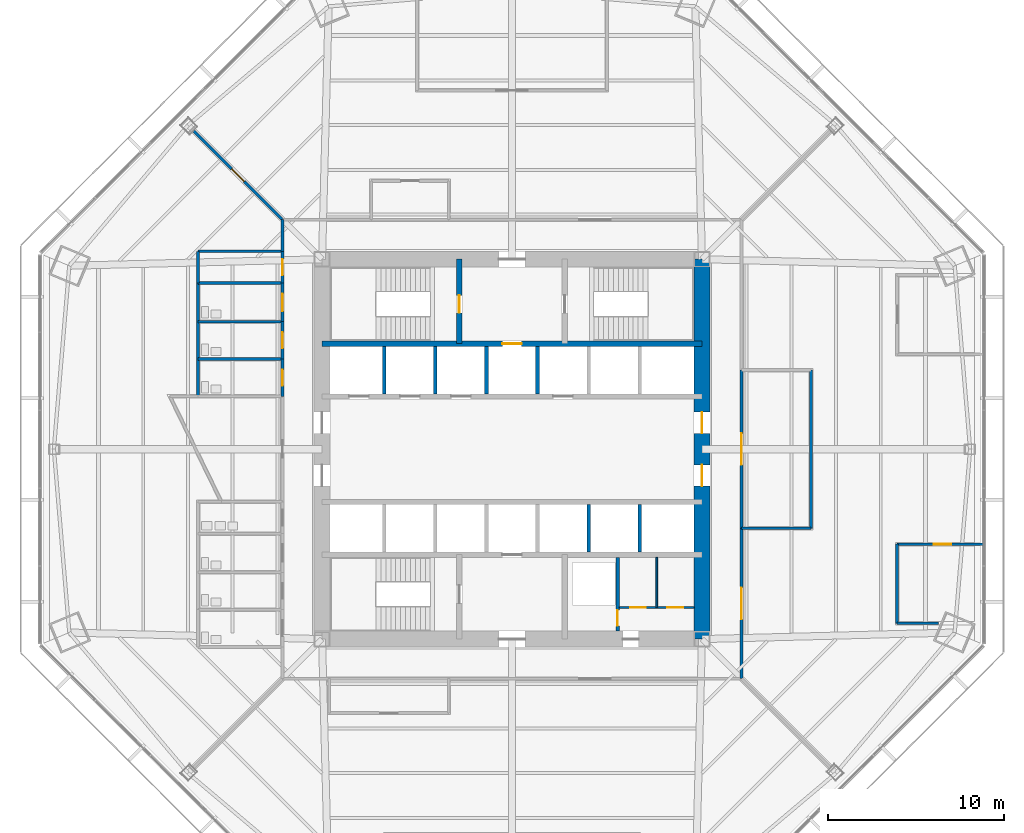
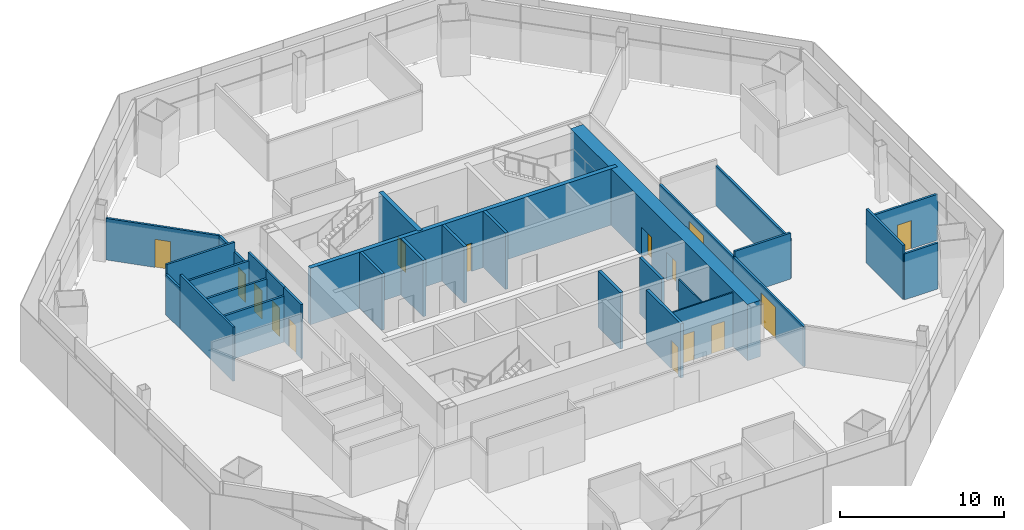
# One storey, part 9 of 14: 31 walls, 15 doors, 15 openings.
"""IFC4 building model written with IfcOpenShell, lengths in metres."""

from ifc_helpers import new_model, si_unit, direction, frame, frame_2d, origin, place, context, subcontext, project, spatial, rectangle, extrude, material, layer, layer_set, type_object, element, fill, save


model = new_model("IFC4")

# Units and contexts
model_context = context("Model", 3, precision=1e-05, world=origin(), true_north=direction((0.0, 1.0)))
body_context = subcontext(model_context, "Body", "Model", "MODEL_VIEW")
ifc_project = project(units=[si_unit("LENGTHUNIT", "METRE"), si_unit("AREAUNIT", "SQUARE_METRE"), si_unit("VOLUMEUNIT", "CUBIC_METRE"), si_unit("PLANEANGLEUNIT", "RADIAN"), si_unit("MASSUNIT", "GRAM", prefix="KILO")], contexts=[model_context])

# Site, building, storey
site_placement = place(None, origin())
site = spatial("IfcSite", under=ifc_project, at=site_placement, CompositionType="ELEMENT")
building_placement = place(site_placement, origin())
building = spatial("IfcBuilding", under=site, at=building_placement, Name="Mashrafa Tower", CompositionType="ELEMENT")
storey_placement = place(building_placement, frame((0.0, 0.0, 41.39990234375)))
storey = spatial("IfcBuildingStorey", under=building, at=storey_placement, Name="L08", CompositionType="ELEMENT", Elevation=41.39990234375)

# Wall, opening, door
ifc_material_1 = material(Name="Concrete masonry unit", Category="masonry")
ifc_layer_1 = layer(ifc_material_1, 0.199951171875)
ifc_layer_set_1 = layer_set([ifc_layer_1], Name="Blockwork wall 200 2 hr")
wall_type_1 = type_object("IfcWallType", Name="Blockwork wall 200 2 hr", PredefinedType="PARTITIONING", material=ifc_layer_set_1)
wall_1_placement = place(storey_placement, frame((6.0, -10.35009765625, 0.0), z_axis=(0.0, 0.0, 1.0), x_axis=(0.0, 1.0, 0.0)))
wall_1 = element("IfcWall", 1, at=wall_1_placement, inside=storey, type_object=wall_type_1, Name="Riser enclosure wall L08", PredefinedType="PARTITIONING", context=body_context, shape_type="SweptSolid", body=[
    extrude(rectangle(XDim=4.2001953125, YDim=0.199951171875, at=frame_2d((2.10009765625, 0.0))), origin(), (0.0, 0.0, 1.0), 4.03515625),
])
opening_1_placement = place(wall_1_placement, frame((0.300048828125, 0.0, 0.0)))
opening_1 = element("IfcOpeningElement", 2, at=opening_1_placement, cuts=wall_1, Name="Opening 08.034", PredefinedType="OPENING", context=body_context, shape_type="SweptSolid", body=[
    extrude(rectangle(XDim=0.89990234375, YDim=2.10009765625, at=frame_2d((0.449951171875, 1.050048828125))), frame((0.0, 0.10986328125, 0.0), z_axis=(0.0, -1.0, 0.0), x_axis=(1.0, 0.0, 0.0)), (0.0, 0.0, 1.0), 0.219970703125),
])
ifc_material_2 = material(Name="Steel door", Category="steel")
door_type_1 = type_object("IfcDoorType", Name="Service door 900 x 2100 90 min", OperationType="USERDEFINED", PredefinedType="DOOR", material=ifc_material_2)
door_1_placement = place(opening_1_placement, origin())
door_1 = element("IfcDoor", 3, at=door_1_placement, inside=storey, type_object=door_type_1, Name="Riser door L08", OperationType="SINGLE_SWING_LEFT", OverallHeight=2.10009765625, OverallWidth=0.89990234375, PredefinedType="DOOR", context=body_context, shape_type="SweptSolid", body=[
    extrude(rectangle(XDim=0.89990234375, YDim=2.10009765625, at=frame_2d((0.449951171875, 1.050048828125))), frame((0.0, 0.02490234375, 0.0), z_axis=(0.0, -1.0, 0.0), x_axis=(1.0, 0.0, 0.0)), (0.0, 0.0, 1.0), 0.050048828125),
])
fill(opening_1, door_1)

ifc_material_3 = material(Name="Concrete C60/75", Category="concrete")
ifc_layer_2 = layer(ifc_material_3, 0.300048828125)
ifc_layer_set_2 = layer_set([ifc_layer_2], Name="Core wall 300 C60/75")
wall_type_2 = type_object("IfcWallType", Name="Core wall 300 C60/75", PredefinedType="SOLIDWALL", material=ifc_layer_set_2)
wall_2_placement = place(storey_placement, frame((-10.800048828125, 6.0, 0.0), z_axis=(0.0, 0.0, 1.0), x_axis=(1.0, 0.0, 0.0)))
wall_2 = element("IfcWall", 4, at=wall_2_placement, inside=storey, type_object=wall_type_2, Name="Core wall CB-N L08", PredefinedType="SOLIDWALL", context=body_context, shape_type="SweptSolid", body=[
    extrude(rectangle(XDim=21.60009765625, YDim=0.300048828125, at=frame_2d((10.800048828125, 0.0))), origin(), (0.0, 0.0, 1.0), 4.2001953125),
])
opening_2_placement = place(wall_2_placement, frame((10.25, 0.0, 0.0)))
opening_2 = element("IfcOpeningElement", 5, at=opening_2_placement, cuts=wall_2, Name="Opening 08.F1", PredefinedType="OPENING", context=body_context, shape_type="SweptSolid", body=[
    extrude(rectangle(XDim=1.10009765625, YDim=2.10009765625, at=frame_2d((0.550048828125, 1.050048828125))), frame((0.0, 0.159912109375, 0.0), z_axis=(0.0, -1.0, 0.0), x_axis=(1.0, 0.0, 0.0)), (0.0, 0.0, 1.0), 0.320068359375),
])
ifc_material_4 = material(Name="Steel door", Category="steel")
door_type_2 = type_object("IfcDoorType", Name="Lift landing door 1100 x 2100 90 min", OperationType="DOUBLE_DOOR_SLIDING", PredefinedType="DOOR", material=ifc_material_4)
door_2_placement = place(opening_2_placement, origin())
door_2 = element("IfcDoor", 6, at=door_2_placement, inside=storey, type_object=door_type_2, Name="Lift landing door F1 L08", OperationType="DOUBLE_DOOR_SLIDING", OverallHeight=2.10009765625, OverallWidth=1.10009765625, PredefinedType="DOOR", context=body_context, shape_type="SweptSolid", body=[
    extrude(rectangle(XDim=1.10009765625, YDim=2.10009765625, at=frame_2d((0.550048828125, 1.050048828125))), frame((0.0, 0.02490234375, 0.0), z_axis=(0.0, -1.0, 0.0), x_axis=(1.0, 0.0, 0.0)), (0.0, 0.0, 1.0), 0.050048828125),
])
fill(opening_2, door_2)

wall_3_placement = place(storey_placement, frame((-3.0, 6.0, 0.0), z_axis=(0.0, 0.0, 1.0), x_axis=(0.0, 1.0, 0.0)))
wall_3 = element("IfcWall", 7, at=wall_3_placement, inside=storey, type_object=wall_type_2, Name="Core wall CX-NW L08", PredefinedType="SOLIDWALL", context=body_context, shape_type="SweptSolid", body=[
    extrude(rectangle(XDim=4.800048828125, YDim=0.300048828125, at=frame_2d((2.39990234375, 0.0))), origin(), (0.0, 0.0, 1.0), 4.2001953125),
])
opening_3_placement = place(wall_3_placement, frame((1.75, 0.0, 0.0)))
opening_3 = element("IfcOpeningElement", 8, at=opening_3_placement, cuts=wall_3, Name="Opening 08.030", PredefinedType="OPENING", context=body_context, shape_type="SweptSolid", body=[
    extrude(rectangle(XDim=1.0, YDim=2.10009765625, at=frame_2d((0.5, 1.050048828125))), frame((0.0, 0.159912109375, 0.0), z_axis=(0.0, -1.0, 0.0), x_axis=(1.0, 0.0, 0.0)), (0.0, 0.0, 1.0), 0.320068359375),
])
ifc_material_5 = material(Name="Steel door", Category="steel")
door_type_3 = type_object("IfcDoorType", Name="Stair door 1000 x 2100 90 min", OperationType="USERDEFINED", PredefinedType="DOOR", material=ifc_material_5)
door_3_placement = place(opening_3_placement, origin())
door_3 = element("IfcDoor", 9, at=door_3_placement, inside=storey, type_object=door_type_3, Name="Stair S1 door L08", OperationType="SINGLE_SWING_LEFT", OverallHeight=2.10009765625, OverallWidth=1.0, PredefinedType="DOOR", context=body_context, shape_type="SweptSolid", body=[
    extrude(rectangle(XDim=1.0, YDim=2.10009765625, at=frame_2d((0.5, 1.050048828125))), frame((0.0, 0.02490234375, 0.0), z_axis=(0.0, -1.0, 0.0), x_axis=(1.0, 0.0, 0.0)), (0.0, 0.0, 1.0), 0.050048828125),
])
fill(opening_3, door_3)

# Wall, openings, doors
ifc_material_6 = material(Name="Concrete C60/75", Category="concrete")
ifc_layer_3 = layer(ifc_material_6, 0.89990234375)
ifc_layer_set_3 = layer_set([ifc_layer_3], Name="Core wall 900 C60/75")
wall_type_3 = type_object("IfcWallType", Name="Core wall 900 C60/75", PredefinedType="SOLIDWALL", material=ifc_layer_set_3)
wall_4_placement = place(storey_placement, frame((10.800048828125, -10.800048828125, 0.0), z_axis=(0.0, 0.0, 1.0), x_axis=(0.0, 1.0, 0.0)))
wall_4 = element("IfcWall", 10, at=wall_4_placement, inside=storey, type_object=wall_type_3, Name="Core wall CW-E L08", PredefinedType="SOLIDWALL", context=body_context, shape_type="SweptSolid", body=[
    extrude(rectangle(XDim=21.60009765625, YDim=0.89990234375, at=frame_2d((10.800048828125, 0.0))), origin(), (0.0, 0.0, 1.0), 4.2001953125),
])
opening_4_placement = place(wall_4_placement, frame((11.699951171875, 0.0, 0.0)))
opening_4 = element("IfcOpeningElement", 11, at=opening_4_placement, cuts=wall_4, Name="Opening 08.024", PredefinedType="OPENING", context=body_context, shape_type="SweptSolid", body=[
    extrude(rectangle(XDim=1.199951171875, YDim=2.10009765625, at=frame_2d((0.60009765625, 1.050048828125))), frame((0.0, 0.4599609375, 0.0), z_axis=(0.0, -1.0, 0.0), x_axis=(1.0, 0.0, 0.0)), (0.0, 0.0, 1.0), 0.919921875),
])
opening_5_placement = place(wall_4_placement, frame((8.699951171875, 0.0, 0.0)))
opening_5 = element("IfcOpeningElement", 12, at=opening_5_placement, cuts=wall_4, Name="Opening 08.026", PredefinedType="OPENING", context=body_context, shape_type="SweptSolid", body=[
    extrude(rectangle(XDim=1.199951171875, YDim=2.10009765625, at=frame_2d((0.60009765625, 1.050048828125))), frame((0.0, 0.4599609375, 0.0), z_axis=(0.0, -1.0, 0.0), x_axis=(1.0, 0.0, 0.0)), (0.0, 0.0, 1.0), 0.919921875),
])
ifc_material_7 = material(Name="Steel door", Category="steel")
door_type_4 = type_object("IfcDoorType", Name="Lift hall door 1200 x 2100 90 min", OperationType="USERDEFINED", PredefinedType="DOOR", material=ifc_material_7)
door_4_placement = place(opening_4_placement, frame((1.199951171875, 0.0, 0.0), z_axis=(0.0, 0.0, 1.0), x_axis=(-1.0, 0.0, 0.0)))
door_4 = element("IfcDoor", 13, at=door_4_placement, inside=storey, type_object=door_type_4, Name="Lift hall door east L08", OperationType="SINGLE_SWING_LEFT", OverallHeight=2.10009765625, OverallWidth=1.199951171875, PredefinedType="DOOR", context=body_context, shape_type="SweptSolid", body=[
    extrude(rectangle(XDim=1.199951171875, YDim=2.10009765625, at=frame_2d((0.60009765625, 1.050048828125))), frame((0.0, 0.02490234375, 0.0), z_axis=(0.0, -1.0, 0.0), x_axis=(1.0, 0.0, 0.0)), (0.0, 0.0, 1.0), 0.050048828125),
])
fill(opening_4, door_4)
door_5_placement = place(opening_5_placement, frame((1.199951171875, 0.0, 0.0), z_axis=(0.0, 0.0, 1.0), x_axis=(-1.0, 0.0, 0.0)))
door_5 = element("IfcDoor", 14, at=door_5_placement, inside=storey, type_object=door_type_4, Name="Lift hall door east L08", OperationType="SINGLE_SWING_RIGHT", OverallHeight=2.10009765625, OverallWidth=1.199951171875, PredefinedType="DOOR", context=body_context, shape_type="SweptSolid", body=[
    extrude(rectangle(XDim=1.199951171875, YDim=2.10009765625, at=frame_2d((0.60009765625, 1.050048828125))), frame((0.0, 0.02490234375, 0.0), z_axis=(0.0, -1.0, 0.0), x_axis=(1.0, 0.0, 0.0)), (0.0, 0.0, 1.0), 0.050048828125),
])
fill(opening_5, door_5)

# Wall, opening, door
ifc_material_8 = material(Name="Gypsum board on steel studs", Category="steel")
ifc_layer_4 = layer(ifc_material_8, 0.14990234375)
ifc_layer_set_4 = layer_set([ifc_layer_4], Name="Corridor partition 150 1 hr")
wall_type_4 = type_object("IfcWallType", Name="Corridor partition 150 1 hr", PredefinedType="PARTITIONING", material=ifc_layer_set_4)
wall_5_placement = place(storey_placement, frame((-13.050048828125, 5.1259765625, 0.0), z_axis=(0.0, 0.0, 1.0), x_axis=(0.0, -1.0, 0.0)))
wall_5 = element("IfcWall", 15, at=wall_5_placement, inside=storey, type_object=wall_type_4, Name="Corridor wall L08-001", PredefinedType="PARTITIONING", context=body_context, shape_type="SweptSolid", body=[
    extrude(rectangle(XDim=2.126953125, YDim=0.14990234375, at=frame_2d((1.0634765625, 0.0))), origin(), (0.0, 0.0, 1.0), 4.03515625),
])
opening_6_placement = place(wall_5_placement, frame((0.613525390625, 0.0, 0.0)))
opening_6 = element("IfcOpeningElement", 16, at=opening_6_placement, cuts=wall_5, Name="Opening 08.001", PredefinedType="OPENING", context=body_context, shape_type="SweptSolid", body=[
    extrude(rectangle(XDim=0.89990234375, YDim=2.10009765625, at=frame_2d((0.449951171875, 1.050048828125))), frame((0.0, 0.0849609375, 0.0), z_axis=(0.0, -1.0, 0.0), x_axis=(1.0, 0.0, 0.0)), (0.0, 0.0, 1.0), 0.169921875),
])
ifc_material_9 = material(Name="Timber door", Category="wood")
door_type_5 = type_object("IfcDoorType", Name="Toilet door 900 x 2100", OperationType="USERDEFINED", PredefinedType="DOOR", material=ifc_material_9)
door_6_placement = place(opening_6_placement, frame((0.89990234375, 0.0, 0.0), z_axis=(0.0, 0.0, 1.0), x_axis=(-1.0, 0.0, 0.0)))
door_6 = element("IfcDoor", 17, at=door_6_placement, inside=storey, type_object=door_type_5, Name="WC Female L08 N door", OperationType="SINGLE_SWING_RIGHT", OverallHeight=2.10009765625, OverallWidth=0.89990234375, PredefinedType="DOOR", context=body_context, shape_type="SweptSolid", body=[
    extrude(rectangle(XDim=0.89990234375, YDim=2.10009765625, at=frame_2d((0.449951171875, 1.050048828125))), frame((0.0, 0.02490234375, 0.0), z_axis=(0.0, -1.0, 0.0), x_axis=(1.0, 0.0, 0.0)), (0.0, 0.0, 1.0), 0.050048828125),
])
fill(opening_6, door_6)

wall_6_placement = place(storey_placement, frame((-13.050048828125, 7.2509765625, 0.0), z_axis=(0.0, 0.0, 1.0), x_axis=(0.0, -1.0, 0.0)))
wall_6 = element("IfcWall", 18, at=wall_6_placement, inside=storey, type_object=wall_type_4, Name="Corridor wall L08-002", PredefinedType="PARTITIONING", context=body_context, shape_type="SweptSolid", body=[
    extrude(rectangle(XDim=2.126953125, YDim=0.14990234375, at=frame_2d((1.0634765625, 0.0))), origin(), (0.0, 0.0, 1.0), 4.03515625),
])
opening_7_placement = place(wall_6_placement, frame((0.613525390625, 0.0, 0.0)))
opening_7 = element("IfcOpeningElement", 19, at=opening_7_placement, cuts=wall_6, Name="Opening 08.002", PredefinedType="OPENING", context=body_context, shape_type="SweptSolid", body=[
    extrude(rectangle(XDim=0.89990234375, YDim=2.10009765625, at=frame_2d((0.449951171875, 1.050048828125))), frame((0.0, 0.0849609375, 0.0), z_axis=(0.0, -1.0, 0.0), x_axis=(1.0, 0.0, 0.0)), (0.0, 0.0, 1.0), 0.169921875),
])
door_7_placement = place(opening_7_placement, frame((0.89990234375, 0.0, 0.0), z_axis=(0.0, 0.0, 1.0), x_axis=(-1.0, 0.0, 0.0)))
door_7 = element("IfcDoor", 20, at=door_7_placement, inside=storey, type_object=door_type_5, Name="WC Male L08 N door", OperationType="SINGLE_SWING_LEFT", OverallHeight=2.10009765625, OverallWidth=0.89990234375, PredefinedType="DOOR", context=body_context, shape_type="SweptSolid", body=[
    extrude(rectangle(XDim=0.89990234375, YDim=2.10009765625, at=frame_2d((0.449951171875, 1.050048828125))), frame((0.0, 0.02490234375, 0.0), z_axis=(0.0, -1.0, 0.0), x_axis=(1.0, 0.0, 0.0)), (0.0, 0.0, 1.0), 0.050048828125),
])
fill(opening_7, door_7)

wall_7_placement = place(storey_placement, frame((-13.050048828125, 9.450927734375, 0.0), z_axis=(0.0, 0.0, 1.0), x_axis=(0.0, -1.0, 0.0)))
wall_7 = element("IfcWall", 21, at=wall_7_placement, inside=storey, type_object=wall_type_4, Name="Corridor wall L08-003", PredefinedType="PARTITIONING", context=body_context, shape_type="SweptSolid", body=[
    extrude(rectangle(XDim=2.201904296875, YDim=0.14990234375, at=frame_2d((1.10107421875, 0.0))), origin(), (0.0, 0.0, 1.0), 4.03515625),
])
opening_8_placement = place(wall_7_placement, frame((0.60107421875, 0.0, 0.0)))
opening_8 = element("IfcOpeningElement", 22, at=opening_8_placement, cuts=wall_7, Name="Opening 08.003", PredefinedType="OPENING", context=body_context, shape_type="SweptSolid", body=[
    extrude(rectangle(XDim=1.0, YDim=2.10009765625, at=frame_2d((0.5, 1.050048828125))), frame((0.0, 0.0849609375, 0.0), z_axis=(0.0, -1.0, 0.0), x_axis=(1.0, 0.0, 0.0)), (0.0, 0.0, 1.0), 0.169921875),
])
ifc_material_10 = material(Name="Timber door", Category="wood")
door_type_6 = type_object("IfcDoorType", Name="Accessible toilet door 1000 x 2100", OperationType="USERDEFINED", PredefinedType="DOOR", material=ifc_material_10)
door_8_placement = place(opening_8_placement, frame((1.0, 0.0, 0.0), z_axis=(0.0, 0.0, 1.0), x_axis=(-1.0, 0.0, 0.0)))
door_8 = element("IfcDoor", 23, at=door_8_placement, inside=storey, type_object=door_type_6, Name="Accessible WC L08 N door", OperationType="SINGLE_SWING_RIGHT", OverallHeight=2.10009765625, OverallWidth=1.0, PredefinedType="DOOR", context=body_context, shape_type="SweptSolid", body=[
    extrude(rectangle(XDim=1.0, YDim=2.10009765625, at=frame_2d((0.5, 1.050048828125))), frame((0.0, 0.02490234375, 0.0), z_axis=(0.0, -1.0, 0.0), x_axis=(1.0, 0.0, 0.0)), (0.0, 0.0, 1.0), 0.050048828125),
])
fill(opening_8, door_8)

wall_8_placement = place(storey_placement, frame((-13.050048828125, 11.2509765625, 0.0), z_axis=(0.0, 0.0, 1.0), x_axis=(0.0, -1.0, 0.0)))
wall_8 = element("IfcWall", 24, at=wall_8_placement, inside=storey, type_object=wall_type_4, Name="Corridor wall L08-004", PredefinedType="PARTITIONING", context=body_context, shape_type="SweptSolid", body=[
    extrude(rectangle(XDim=1.802001953125, YDim=0.14990234375, at=frame_2d((0.90087890625, 0.0))), origin(), (0.0, 0.0, 1.0), 3.01416015625),
])
opening_9_placement = place(wall_8_placement, frame((0.450927734375, 0.0, 0.0)))
opening_9 = element("IfcOpeningElement", 25, at=opening_9_placement, cuts=wall_8, Name="Opening 08.004", PredefinedType="OPENING", context=body_context, shape_type="SweptSolid", body=[
    extrude(rectangle(XDim=0.89990234375, YDim=2.10009765625, at=frame_2d((0.449951171875, 1.050048828125))), frame((0.0, 0.0849609375, 0.0), z_axis=(0.0, -1.0, 0.0), x_axis=(1.0, 0.0, 0.0)), (0.0, 0.0, 1.0), 0.169921875),
])
ifc_material_11 = material(Name="Timber door", Category="wood")
door_type_7 = type_object("IfcDoorType", Name="Store door 900 x 2100", OperationType="USERDEFINED", PredefinedType="DOOR", material=ifc_material_11)
door_9_placement = place(opening_9_placement, frame((0.89990234375, 0.0, 0.0), z_axis=(0.0, 0.0, 1.0), x_axis=(-1.0, 0.0, 0.0)))
door_9 = element("IfcDoor", 26, at=door_9_placement, inside=storey, type_object=door_type_7, Name="Cleaner's Store L08 N door", OperationType="SINGLE_SWING_LEFT", OverallHeight=2.10009765625, OverallWidth=0.89990234375, PredefinedType="DOOR", context=body_context, shape_type="SweptSolid", body=[
    extrude(rectangle(XDim=0.89990234375, YDim=2.10009765625, at=frame_2d((0.449951171875, 1.050048828125))), frame((0.0, 0.02490234375, 0.0), z_axis=(0.0, -1.0, 0.0), x_axis=(1.0, 0.0, 0.0)), (0.0, 0.0, 1.0), 0.050048828125),
])
fill(opening_9, door_9)

wall_9_placement = place(storey_placement, frame((13.050048828125, -4.5009765625, 0.0), z_axis=(0.0, 0.0, 1.0), x_axis=(0.0, 1.0, 0.0)))
wall_9 = element("IfcWall", 27, at=wall_9_placement, inside=storey, type_object=wall_type_4, Name="Corridor wall L08-010", PredefinedType="PARTITIONING", context=body_context, shape_type="SweptSolid", body=[
    extrude(rectangle(XDim=9.001953125, YDim=0.14990234375, at=frame_2d((4.5009765625, 0.0))), origin(), (0.0, 0.0, 1.0), 2.983642578125),
])
opening_10_placement = place(wall_9_placement, frame((3.60107421875, 0.0, 0.0)))
opening_10 = element("IfcOpeningElement", 28, at=opening_10_placement, cuts=wall_9, Name="Opening 08.010", PredefinedType="OPENING", context=body_context, shape_type="SweptSolid", body=[
    extrude(rectangle(XDim=1.800048828125, YDim=2.39990234375, at=frame_2d((0.89990234375, 1.199951171875))), frame((0.0, 0.0849609375, 0.0), z_axis=(0.0, -1.0, 0.0), x_axis=(1.0, 0.0, 0.0)), (0.0, 0.0, 1.0), 0.169921875),
])
ifc_material_12 = material(Name="Steel door", Category="steel")
door_type_8 = type_object("IfcDoorType", Name="Door pair 1800 x 2400 90 min", OperationType="DOUBLE_DOOR_SINGLE_SWING", PredefinedType="DOOR", material=ifc_material_12)
door_10_placement = place(opening_10_placement, frame((1.800048828125, 0.0, 0.0), z_axis=(0.0, 0.0, 1.0), x_axis=(-1.0, 0.0, 0.0)))
door_10 = element("IfcDoor", 29, at=door_10_placement, inside=storey, type_object=door_type_8, Name="Reception and Waiting 08 door", OperationType="DOUBLE_DOOR_SINGLE_SWING", OverallHeight=2.39990234375, OverallWidth=1.800048828125, PredefinedType="DOOR", context=body_context, shape_type="SweptSolid", body=[
    extrude(rectangle(XDim=1.800048828125, YDim=2.39990234375, at=frame_2d((0.89990234375, 1.199951171875))), frame((0.0, 0.02490234375, 0.0), z_axis=(0.0, -1.0, 0.0), x_axis=(1.0, 0.0, 0.0)), (0.0, 0.0, 1.0), 0.050048828125),
])
fill(opening_10, door_10)

wall_10_placement = place(storey_placement, frame((13.050048828125, -13.050048828125, 0.0), z_axis=(0.0, 0.0, 1.0), x_axis=(0.0, 1.0, 0.0)))
wall_10 = element("IfcWall", 30, at=wall_10_placement, inside=storey, type_object=wall_type_4, Name="Corridor wall L08-015", PredefinedType="PARTITIONING", context=body_context, shape_type="SweptSolid", body=[
    extrude(rectangle(XDim=8.551025390625, YDim=0.14990234375, at=frame_2d((4.275390625, 0.0))), origin(), (0.0, 0.0, 1.0), 3.01416015625),
])
opening_11_placement = place(wall_10_placement, frame((3.37548828125, 0.0, 0.0)))
opening_11 = element("IfcOpeningElement", 31, at=opening_11_placement, cuts=wall_10, Name="Opening 08.021", PredefinedType="OPENING", context=body_context, shape_type="SweptSolid", body=[
    extrude(rectangle(XDim=1.800048828125, YDim=2.39990234375, at=frame_2d((0.89990234375, 1.199951171875))), frame((0.0, 0.0849609375, 0.0), z_axis=(0.0, -1.0, 0.0), x_axis=(1.0, 0.0, 0.0)), (0.0, 0.0, 1.0), 0.169921875),
])
ifc_material_13 = material(Name="Timber door", Category="wood")
door_type_9 = type_object("IfcDoorType", Name="Door pair 1800 x 2400", OperationType="DOUBLE_DOOR_SINGLE_SWING", PredefinedType="DOOR", material=ifc_material_13)
door_11_placement = place(opening_11_placement, frame((1.800048828125, 0.0, 0.0), z_axis=(0.0, 0.0, 1.0), x_axis=(-1.0, 0.0, 0.0)))
door_11 = element("IfcDoor", 32, at=door_11_placement, inside=storey, type_object=door_type_9, Name="Private Banking Office 08 door", OperationType="DOUBLE_DOOR_SINGLE_SWING", OverallHeight=2.39990234375, OverallWidth=1.800048828125, PredefinedType="DOOR", context=body_context, shape_type="SweptSolid", body=[
    extrude(rectangle(XDim=1.800048828125, YDim=2.39990234375, at=frame_2d((0.89990234375, 1.199951171875))), frame((0.0, 0.02490234375, 0.0), z_axis=(0.0, -1.0, 0.0), x_axis=(1.0, 0.0, 0.0)), (0.0, 0.0, 1.0), 0.050048828125),
])
fill(opening_11, door_11)

# Walls
wall_11_placement = place(storey_placement, frame((-13.050048828125, 13.050048828125, 0.0), z_axis=(0.0, 0.0, 1.0), x_axis=(0.0, -1.0, 0.0)))
element("IfcWall", 33, at=wall_11_placement, inside=storey, type_object=wall_type_4, Name="Corridor wall L08-020", PredefinedType="PARTITIONING", context=body_context, shape_type="SweptSolid", body=[
    extrude(rectangle(XDim=1.801025390625, YDim=0.14990234375, at=frame_2d((0.900390625, 0.0))), origin(), (0.0, 0.0, 1.0), 3.097900390625),
])
wall_12_placement = place(storey_placement, frame((13.050048828125, -4.5, 0.0), z_axis=(0.0, 0.0, 1.0), x_axis=(1.0, 0.0, 0.0)))
element("IfcWall", 34, at=wall_12_placement, inside=storey, type_object=wall_type_4, Name="Corridor wall L08-042", PredefinedType="PARTITIONING", context=body_context, shape_type="SweptSolid", body=[
    extrude(rectangle(XDim=3.949951171875, YDim=0.14990234375, at=frame_2d((1.97509765625, 0.0))), origin(), (0.0, 0.0, 1.0), 3.42578125),
])
wall_13_placement = place(storey_placement, frame((17.0, -4.5, 0.0), z_axis=(0.0, 0.0, 1.0), x_axis=(0.0, 1.0, 0.0)))
element("IfcWall", 35, at=wall_13_placement, inside=storey, type_object=wall_type_4, Name="Corridor wall L08-043", PredefinedType="PARTITIONING", context=body_context, shape_type="SweptSolid", body=[
    extrude(rectangle(XDim=9.0, YDim=0.14990234375, at=frame_2d((4.5, 0.0))), origin(), (0.0, 0.0, 1.0), 2.983642578125),
])

# Wall, openings, doors
ifc_material_14 = material(Name="Gypsum board on steel studs", Category="steel")
ifc_layer_5 = layer(ifc_material_14, 0.10009765625)
ifc_layer_set_5 = layer_set([ifc_layer_5], Name="Partition 100 1 hr")
wall_type_5 = type_object("IfcWallType", Name="Partition 100 1 hr", PredefinedType="PARTITIONING", material=ifc_layer_set_5)
wall_14_placement = place(storey_placement, frame((6.10009765625, -9.0, 0.0), z_axis=(0.0, 0.0, 1.0), x_axis=(1.0, 0.0, 0.0)))
wall_14 = element("IfcWall", 36, at=wall_14_placement, inside=storey, type_object=wall_type_5, Name="Services lobby partition A L08", PredefinedType="PARTITIONING", context=body_context, shape_type="SweptSolid", body=[
    extrude(rectangle(XDim=4.25, YDim=0.10009765625, at=frame_2d((2.125, 0.0))), origin(), (0.0, 0.0, 1.0), 4.03515625),
])
opening_12_placement = place(wall_14_placement, frame((0.612548828125, 0.0, 0.0)))
opening_12 = element("IfcOpeningElement", 37, at=opening_12_placement, cuts=wall_14, Name="Opening 08.035", PredefinedType="OPENING", context=body_context, shape_type="SweptSolid", body=[
    extrude(rectangle(XDim=0.89990234375, YDim=2.10009765625, at=frame_2d((0.449951171875, 1.050048828125))), frame((0.0, 0.06005859375, 0.0), z_axis=(0.0, -1.0, 0.0), x_axis=(1.0, 0.0, 0.0)), (0.0, 0.0, 1.0), 0.1201171875),
])
opening_13_placement = place(wall_14_placement, frame((2.737548828125, 0.0, 0.0)))
opening_13 = element("IfcOpeningElement", 38, at=opening_13_placement, cuts=wall_14, Name="Opening 08.036", PredefinedType="OPENING", context=body_context, shape_type="SweptSolid", body=[
    extrude(rectangle(XDim=0.89990234375, YDim=2.10009765625, at=frame_2d((0.449951171875, 1.050048828125))), frame((0.0, 0.06005859375, 0.0), z_axis=(0.0, -1.0, 0.0), x_axis=(1.0, 0.0, 0.0)), (0.0, 0.0, 1.0), 0.1201171875),
])
door_12_placement = place(opening_12_placement, origin())
door_12 = element("IfcDoor", 39, at=door_12_placement, inside=storey, type_object=door_type_7, Name="Communications Room L08 door", OperationType="SINGLE_SWING_RIGHT", OverallHeight=2.10009765625, OverallWidth=0.89990234375, PredefinedType="DOOR", context=body_context, shape_type="SweptSolid", body=[
    extrude(rectangle(XDim=0.89990234375, YDim=2.10009765625, at=frame_2d((0.449951171875, 1.050048828125))), frame((0.0, 0.02490234375, 0.0), z_axis=(0.0, -1.0, 0.0), x_axis=(1.0, 0.0, 0.0)), (0.0, 0.0, 1.0), 0.050048828125),
])
fill(opening_12, door_12)
door_13_placement = place(opening_13_placement, origin())
door_13 = element("IfcDoor", 40, at=door_13_placement, inside=storey, type_object=door_type_7, Name="Cleaner's Store L08 door", OperationType="SINGLE_SWING_LEFT", OverallHeight=2.10009765625, OverallWidth=0.89990234375, PredefinedType="DOOR", context=body_context, shape_type="SweptSolid", body=[
    extrude(rectangle(XDim=0.89990234375, YDim=2.10009765625, at=frame_2d((0.449951171875, 1.050048828125))), frame((0.0, 0.02490234375, 0.0), z_axis=(0.0, -1.0, 0.0), x_axis=(1.0, 0.0, 0.0)), (0.0, 0.0, 1.0), 0.050048828125),
])
fill(opening_13, door_13)

# Walls
wall_15_placement = place(storey_placement, frame((8.22509765625, -9.0, 0.0), z_axis=(0.0, 0.0, 1.0), x_axis=(0.0, 1.0, 0.0)))
element("IfcWall", 41, at=wall_15_placement, inside=storey, type_object=wall_type_5, Name="Services lobby partition B L08", PredefinedType="PARTITIONING", context=body_context, shape_type="SweptSolid", body=[
    extrude(rectangle(XDim=2.85009765625, YDim=0.10009765625, at=frame_2d((1.425048828125, 0.0))), origin(), (0.0, 0.0, 1.0), 4.03515625),
])
ifc_material_15 = material(Name="Gypsum board on steel studs", Category="steel")
ifc_layer_6 = layer(ifc_material_15, 0.14990234375)
ifc_layer_set_6 = layer_set([ifc_layer_6], Name="Partition 150")
wall_type_6 = type_object("IfcWallType", Name="Partition 150", PredefinedType="PARTITIONING", material=ifc_layer_set_6)
wall_16_placement = place(storey_placement, frame((-13.050048828125, 5.125, 0.0), z_axis=(0.0, 0.0, 1.0), x_axis=(-1.0, 0.0, 0.0)))
element("IfcWall", 42, at=wall_16_placement, inside=storey, type_object=wall_type_6, Name="Partition wall L08-021", PredefinedType="PARTITIONING", context=body_context, shape_type="SweptSolid", body=[
    extrude(rectangle(XDim=4.800048828125, YDim=0.14990234375, at=frame_2d((2.39990234375, 0.0))), origin(), (0.0, 0.0, 1.0), 3.42578125),
])
wall_17_placement = place(storey_placement, frame((-17.85009765625, 3.0, 0.0), z_axis=(0.0, 0.0, 1.0), x_axis=(0.0, 1.0, 0.0)))
element("IfcWall", 43, at=wall_17_placement, inside=storey, type_object=wall_type_6, Name="Partition wall L08-023", PredefinedType="PARTITIONING", context=body_context, shape_type="SweptSolid", body=[
    extrude(rectangle(XDim=6.449951171875, YDim=0.14990234375, at=frame_2d((3.22509765625, 0.0))), origin(), (0.0, 0.0, 1.0), 4.03515625),
])
for number, where, z_axis, x_axis, name in (
    (44, (-13.050048828125, 7.25, 0.0), (0.0, 0.0, 1.0), (-1.0, 0.0, 0.0), "Partition wall L08-024"),
    (45, (-13.050048828125, 9.449951171875, 0.0), (0.0, 0.0, 1.0), (-1.0, 0.0, 0.0), "Partition wall L08-026"),
):
    element("IfcWall", number, at=place(storey_placement, frame(where, z_axis=z_axis, x_axis=x_axis)), inside=storey, type_object=wall_type_6, Name=name, PredefinedType="PARTITIONING", context=body_context, shape_type="SweptSolid", body=[
        extrude(rectangle(XDim=4.800048828125, YDim=0.14990234375, at=frame_2d((2.39990234375, 0.0))), origin(), (0.0, 0.0, 1.0), 3.42578125),
    ])
wall_18_placement = place(storey_placement, frame((-13.050048828125, 11.25, 0.0), z_axis=(0.0, 0.0, 1.0), x_axis=(-1.0, 0.0, 0.0)))
element("IfcWall", 46, at=wall_18_placement, inside=storey, type_object=wall_type_6, Name="Partition wall L08-028", PredefinedType="PARTITIONING", context=body_context, shape_type="SweptSolid", body=[
    extrude(rectangle(XDim=4.800048828125, YDim=0.14990234375, at=frame_2d((2.39990234375, 0.0))), origin(), (0.0, 0.0, 1.0), 3.715087890625),
])
wall_19_placement = place(storey_placement, frame((-17.85009765625, 11.25, 0.0), z_axis=(0.0, 0.0, 1.0), x_axis=(0.0, -1.0, 0.0)))
element("IfcWall", 47, at=wall_19_placement, inside=storey, type_object=wall_type_6, Name="Partition wall L08-029", PredefinedType="PARTITIONING", context=body_context, shape_type="SweptSolid", body=[
    extrude(rectangle(XDim=1.800048828125, YDim=0.14990234375, at=frame_2d((0.89990234375, 0.0))), origin(), (0.0, 0.0, 1.0), 3.01416015625),
])

# Wall, opening, door
wall_20_placement = place(storey_placement, frame((26.82763671875, -5.39990234375, 0.0), z_axis=(0.0, 0.0, 1.0), x_axis=(-1.0, 0.0, 0.0)))
wall_20 = element("IfcWall", 48, at=wall_20_placement, inside=storey, type_object=wall_type_6, Name="Partition wall L08-066", PredefinedType="PARTITIONING", context=body_context, shape_type="SweptSolid", body=[
    extrude(rectangle(XDim=4.93408203125, YDim=0.14990234375, at=frame_2d((2.467041015625, 0.0))), origin(), (0.0, 0.0, 1.0), 3.423095703125),
])
opening_14_placement = place(wall_20_placement, frame((1.84912109375, 0.0, 0.0)))
opening_14 = element("IfcOpeningElement", 49, at=opening_14_placement, cuts=wall_20, Name="Opening 08.019", PredefinedType="OPENING", context=body_context, shape_type="SweptSolid", body=[
    extrude(rectangle(XDim=1.0, YDim=2.10009765625, at=frame_2d((0.5, 1.050048828125))), frame((0.0, 0.0849609375, 0.0), z_axis=(0.0, -1.0, 0.0), x_axis=(1.0, 0.0, 0.0)), (0.0, 0.0, 1.0), 0.169921875),
])
ifc_material_16 = material(Name="Timber door", Category="wood")
door_type_10 = type_object("IfcDoorType", Name="Door 1000 x 2100", OperationType="USERDEFINED", PredefinedType="DOOR", material=ifc_material_16)
door_14_placement = place(opening_14_placement, origin())
door_14 = element("IfcDoor", 50, at=door_14_placement, inside=storey, type_object=door_type_10, Name="Meeting Room 08-2 door", OperationType="SINGLE_SWING_LEFT", OverallHeight=2.10009765625, OverallWidth=1.0, PredefinedType="DOOR", context=body_context, shape_type="SweptSolid", body=[
    extrude(rectangle(XDim=1.0, YDim=2.10009765625, at=frame_2d((0.5, 1.050048828125))), frame((0.0, 0.02490234375, 0.0), z_axis=(0.0, -1.0, 0.0), x_axis=(1.0, 0.0, 0.0)), (0.0, 0.0, 1.0), 0.050048828125),
])
fill(opening_14, door_14)

# Walls
wall_21_placement = place(storey_placement, frame((21.8935546875, -5.39990234375, 0.0), z_axis=(0.0, 0.0, 1.0), x_axis=(0.0, -1.0, 0.0)))
element("IfcWall", 51, at=wall_21_placement, inside=storey, type_object=wall_type_6, Name="Partition wall L08-067", PredefinedType="PARTITIONING", context=body_context, shape_type="SweptSolid", body=[
    extrude(rectangle(XDim=4.5, YDim=0.14990234375, at=frame_2d((2.25, 0.0))), origin(), (0.0, 0.0, 1.0), 4.03515625),
])
wall_22_placement = place(storey_placement, frame((21.8935546875, -9.89990234375, 0.0), z_axis=(0.0, 0.0, 1.0), x_axis=(1.0, 0.0, 0.0)))
element("IfcWall", 52, at=wall_22_placement, inside=storey, type_object=wall_type_6, Name="Partition wall L08-068", PredefinedType="PARTITIONING", context=body_context, shape_type="SweptSolid", body=[
    extrude(rectangle(XDim=2.3544921875, YDim=0.14990234375, at=frame_2d((1.17724609375, 0.0))), origin(), (0.0, 0.0, 1.0), 3.423095703125),
])

# Wall, opening, door
wall_23_placement = place(storey_placement, frame((-18.10595703125, 18.10595703125, 0.0), z_axis=(0.0, 0.0, 1.0), x_axis=(0.707106781187, -0.707106781187, 0.0)))
wall_23 = element("IfcWall", 53, at=wall_23_placement, inside=storey, type_object=wall_type_6, Name="Partition wall L08-070", PredefinedType="PARTITIONING", context=body_context, shape_type="SweptSolid", body=[
    extrude(rectangle(XDim=7.150146484375, YDim=0.14990234375, at=frame_2d((3.5751953125, 0.0))), origin(), (0.0, 0.0, 1.0), 3.097900390625),
])
opening_15_placement = place(wall_23_placement, frame((3.0751953125, 0.0, 0.0)))
opening_15 = element("IfcOpeningElement", 54, at=opening_15_placement, cuts=wall_23, Name="Opening 08.023", PredefinedType="OPENING", context=body_context, shape_type="SweptSolid", body=[
    extrude(rectangle(XDim=1.0, YDim=2.10009765625, at=frame_2d((0.5, 1.050048828125))), frame((0.0, 0.0849609375, 0.0), z_axis=(0.0, -1.0, 0.0), x_axis=(1.0, 0.0, 0.0)), (0.0, 0.0, 1.0), 0.169921875),
])
door_15_placement = place(opening_15_placement, frame((1.0, 0.0, 0.0), z_axis=(0.0, 0.0, 1.0), x_axis=(-1.0, 0.0, 0.0)))
door_15 = element("IfcDoor", 55, at=door_15_placement, inside=storey, type_object=door_type_10, Name="Risk and Compliance Office 08 door", OperationType="SINGLE_SWING_LEFT", OverallHeight=2.10009765625, OverallWidth=1.0, PredefinedType="DOOR", context=body_context, shape_type="SweptSolid", body=[
    extrude(rectangle(XDim=1.0, YDim=2.10009765625, at=frame_2d((0.5, 1.050048828125))), frame((0.0, 0.02490234375, 0.0), z_axis=(0.0, -1.0, 0.0), x_axis=(1.0, 0.0, 0.0)), (0.0, 0.0, 1.0), 0.050048828125),
])
fill(opening_15, door_15)

# Walls
ifc_material_17 = material(Name="Gypsum shaft wall on steel studs", Category="steel")
ifc_layer_7 = layer(ifc_material_17, 0.199951171875)
ifc_layer_set_7 = layer_set([ifc_layer_7], Name="Shaft divider wall 200 2 hr")
wall_type_7 = type_object("IfcWallType", Name="Shaft divider wall 200 2 hr", PredefinedType="PARTITIONING", material=ifc_layer_set_7)
for number, where, z_axis, x_axis, name in (
    (56, (-7.25, 3.14990234375, 0.0), (0.0, 0.0, 1.0), (0.0, 1.0, 0.0), "Shaft divider wall N1 L08"),
    (57, (-4.35009765625, 3.14990234375, 0.0), (0.0, 0.0, 1.0), (0.0, 1.0, 0.0), "Shaft divider wall N2 L08"),
    (58, (-1.449951171875, 3.14990234375, 0.0), (0.0, 0.0, 1.0), (0.0, 1.0, 0.0), "Shaft divider wall N3 L08"),
    (59, (1.449951171875, 3.14990234375, 0.0), (0.0, 0.0, 1.0), (0.0, 1.0, 0.0), "Shaft divider wall N4 L08"),
    (60, (4.35009765625, -5.85009765625, 0.0), (0.0, 0.0, 1.0), (0.0, 1.0, 0.0), "Shaft divider wall S5 L08"),
    (61, (7.25, -5.85009765625, 0.0), (0.0, 0.0, 1.0), (0.0, 1.0, 0.0), "Shaft divider wall S6 L08"),
):
    element("IfcWall", number, at=place(storey_placement, frame(where, z_axis=z_axis, x_axis=x_axis)), inside=storey, type_object=wall_type_7, Name=name, PredefinedType="PARTITIONING", context=body_context, shape_type="SweptSolid", body=[
        extrude(rectangle(XDim=2.7001953125, YDim=0.199951171875, at=frame_2d((1.35009765625, 0.0))), origin(), (0.0, 0.0, 1.0), 4.2001953125),
    ])

save(model, "model.ifc")
